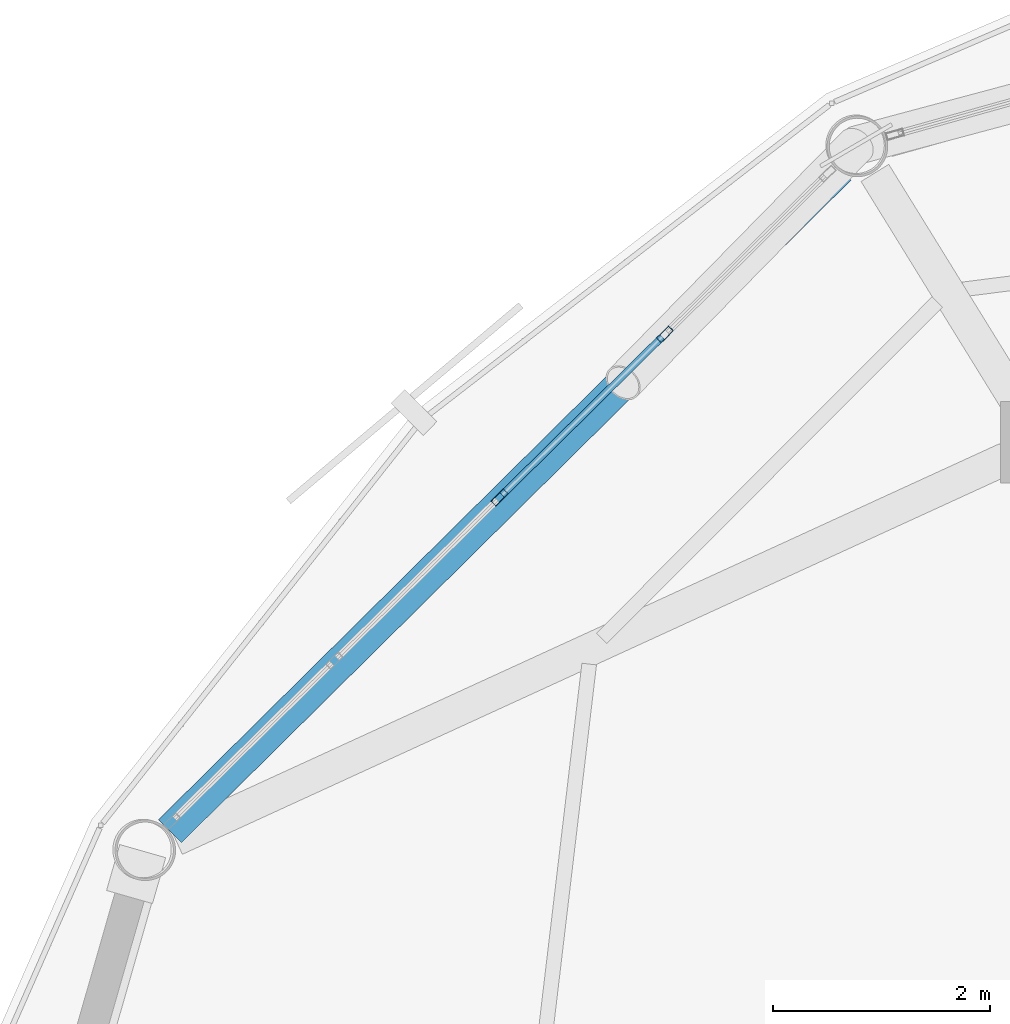
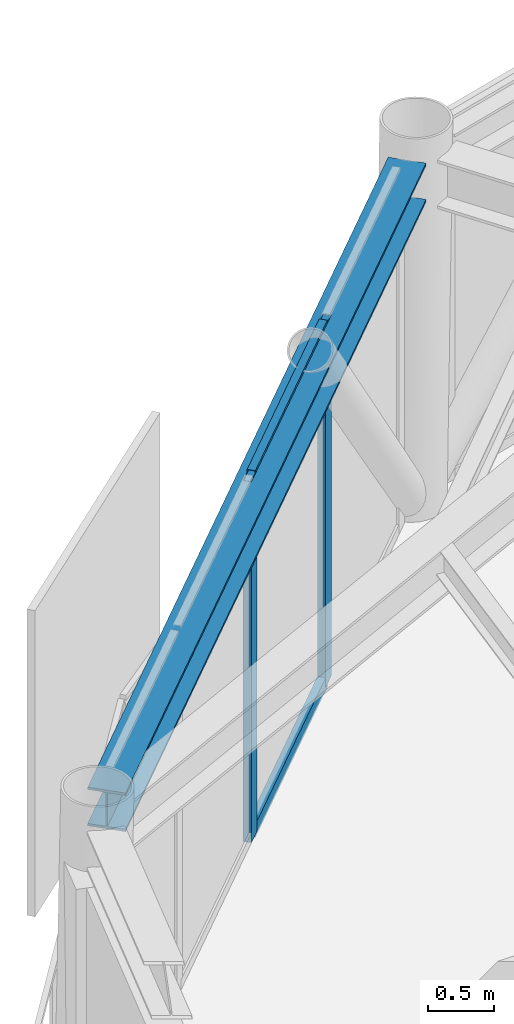
# One storey, part 12 of 26: 4 members, 1 beam, 1 element without a shape of its own.
"""IFC4 building model written with IfcOpenShell, lengths in metres."""

from ifc_helpers import new_model, si_unit, direction, frame, origin, origin_2d, place, context, subcontext, project, spatial, hollow_rectangle, i_section, extrude, material, layer, layer_set, material_profile, profile_set, type_object, element, aggregate, save


model = new_model("IFC4")

# Units and contexts
model_context = context("Model", 3, precision=1e-05, world=origin(), true_north=direction((0.0, 1.0)))
body_context = subcontext(model_context, "Body", "Model", "MODEL_VIEW")
ifc_project = project(units=[si_unit("LENGTHUNIT", "METRE"), si_unit("AREAUNIT", "SQUARE_METRE"), si_unit("VOLUMEUNIT", "CUBIC_METRE"), si_unit("PLANEANGLEUNIT", "RADIAN"), si_unit("MASSUNIT", "GRAM", prefix="KILO")], contexts=[model_context])

# Site, building, storey
site_placement = place(None, origin())
site = spatial("IfcSite", under=ifc_project, at=site_placement, CompositionType="ELEMENT")
building_placement = place(site_placement, origin())
building = spatial("IfcBuilding", under=site, at=building_placement, Name="Varnakorn Sky Granary", CompositionType="ELEMENT")
storey_placement = place(building_placement, frame((0.0, 0.0, 270.60009765625)))
storey = spatial("IfcBuildingStorey", under=building, at=storey_placement, Name="L69", CompositionType="ELEMENT", Elevation=270.60009765625)

# Beam
ifc_material_1 = material(Name="Steel S355JR", Category="steel")
ifc_material_profile_1 = material_profile(ifc_material_1, i_section(OverallWidth=0.300048828125, OverallDepth=0.360107421875, WebThickness=0.012451171875, FlangeThickness=0.0224609375, at=origin_2d()), Name="HE 360 B")
ifc_profile_set_1 = profile_set([ifc_material_profile_1], Name="Steel S355JR")
beam_type = type_object("IfcBeamType", Name="BM-SPD-Z5", PredefinedType="SPANDREL", material=ifc_profile_set_1)
beam_placement = place(storey_placement, frame((-4.281005859375, 15.142578125, 3.179931640625), z_axis=(-0.710781154111, -0.703413214946, 0.0), x_axis=(0.703413214946, -0.710781154111, 0.0)))
element("IfcBeam", 1, at=beam_placement, inside=storey, type_object=beam_type, Name="Perimeter Spandrel Ring Beam RB05 L69", PredefinedType="SPANDREL", context=body_context, shape_type="SweptSolid", body=[
    extrude(i_section(OverallWidth=0.300048828125, OverallDepth=0.360107421875, WebThickness=0.012451171875, FlangeThickness=0.0224609375, at=origin_2d()), origin(), (0.0, 0.0, 1.0), 8.681396484375),
])

# Curtain wall, members
ifc_material_2 = material(Name="Anodised Bronze Aluminium Alloy 6063-T6", Category="aluminium")
ifc_layer = layer(ifc_material_2, 0.159912109375, Name="Anodised Bronze Aluminium Alloy 6063-T6")
ifc_layer_set = layer_set([ifc_layer], Name="Anodised Bronze Aluminium Alloy 6063-T6")
curtain_wall_type = type_object("IfcCurtainWallType", Name="CW-OFF-1", PredefinedType="USERDEFINED", material=ifc_layer_set)
curtain_wall_placement = place(storey_placement, origin())
curtain_wall = element("IfcCurtainWall", 2, at=curtain_wall_placement, inside=storey, type_object=curtain_wall_type, Name="Unitised Curtain Wall CW6 CW-L69-B05", ObjectType="CURTAIN WALL", PredefinedType="USERDEFINED")
ifc_material_profile_2 = material_profile(ifc_material_2, hollow_rectangle(XDim=0.06494140625, YDim=0.159912109375, WallThickness=0.00341796875, at=origin_2d()), Name="ALU MULL 65x160")
ifc_profile_set_2 = profile_set([ifc_material_profile_2], Name="Anodised Bronze Aluminium Alloy 6063-T6")
member_type_1 = type_object("IfcMemberType", Name="CW-OFF-1-MULL", PredefinedType="MULLION", material=ifc_profile_set_2)
member_1_placement = place(storey_placement, frame((-7.412841796875, 12.112548828125, 0.0), z_axis=(0.0, 0.0, 1.0), x_axis=(-0.702728935419, 0.711457689062, 0.0)))
member_1 = element("IfcMember", 3, at=member_1_placement, type_object=member_type_1, Name="CW6 mullion 3", PredefinedType="MULLION", context=body_context, shape_type="SweptSolid", body=[
    extrude(hollow_rectangle(XDim=0.06494140625, YDim=0.159912109375, WallThickness=0.00341796875, at=origin_2d()), origin(), (0.0, 0.0, 1.0), 3.35986328125),
])
member_2_placement = place(storey_placement, frame((-5.890625, 13.615966796875, 0.0), z_axis=(0.0, 0.0, 1.0), x_axis=(-0.702728935419, 0.711457689062, 0.0)))
member_2 = element("IfcMember", 4, at=member_2_placement, type_object=member_type_1, Name="CW6 mullion 4", PredefinedType="MULLION", context=body_context, shape_type="SweptSolid", body=[
    extrude(hollow_rectangle(XDim=0.06494140625, YDim=0.159912109375, WallThickness=0.00341796875, at=origin_2d()), origin(), (0.0, 0.0, 1.0), 3.35986328125),
])
ifc_material_profile_3 = material_profile(ifc_material_2, hollow_rectangle(XDim=0.06494140625, YDim=0.1201171875, WallThickness=0.00341796875, at=origin_2d()), Name="ALU TRAN 65x120")
ifc_profile_set_3 = profile_set([ifc_material_profile_3], Name="Anodised Bronze Aluminium Alloy 6063-T6")
member_type_2 = type_object("IfcMemberType", Name="CW-OFF-1-TRAN", PredefinedType="USERDEFINED", material=ifc_profile_set_3)
member_3_placement = place(storey_placement, frame((-7.3896484375, 12.135498046875, 0.032470703125), z_axis=(0.711447975493, 0.702738769506, 0.0), x_axis=(-0.702738769506, 0.711447975493, 0.0)))
member_3 = element("IfcMember", 5, at=member_3_placement, type_object=member_type_2, Name="CW6 transom 3.1", ObjectType="TRANSOM", PredefinedType="USERDEFINED", context=body_context, shape_type="SweptSolid", body=[
    extrude(hollow_rectangle(XDim=0.06494140625, YDim=0.1201171875, WallThickness=0.00341796875, at=origin_2d()), origin(), (0.0, 0.0, 1.0), 2.074462890625),
])
member_4_placement = place(storey_placement, frame((-7.3896484375, 12.135498046875, 3.327392578125), z_axis=(0.711447975493, 0.702738769506, 0.0), x_axis=(-0.702738769506, 0.711447975493, 0.0)))
member_4 = element("IfcMember", 6, at=member_4_placement, type_object=member_type_2, Name="CW6 transom 3.2", ObjectType="TRANSOM", PredefinedType="USERDEFINED", context=body_context, shape_type="SweptSolid", body=[
    extrude(hollow_rectangle(XDim=0.06494140625, YDim=0.1201171875, WallThickness=0.00341796875, at=origin_2d()), origin(), (0.0, 0.0, 1.0), 2.074462890625),
])
aggregate(curtain_wall, [member_1, member_2, member_3, member_4])

save(model, "model.ifc")
